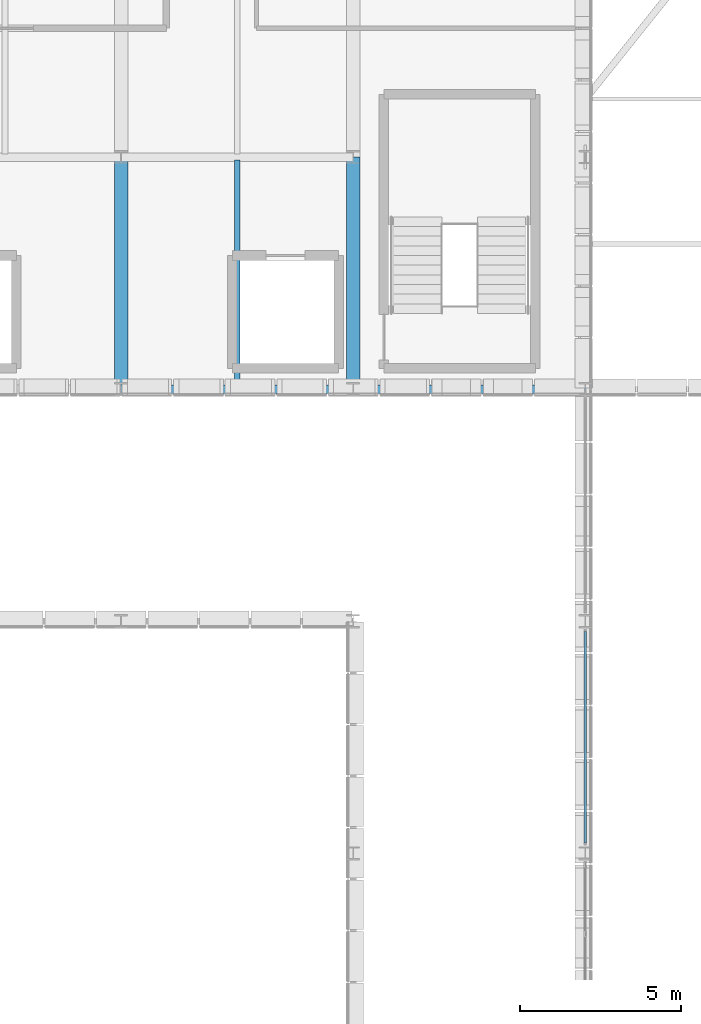
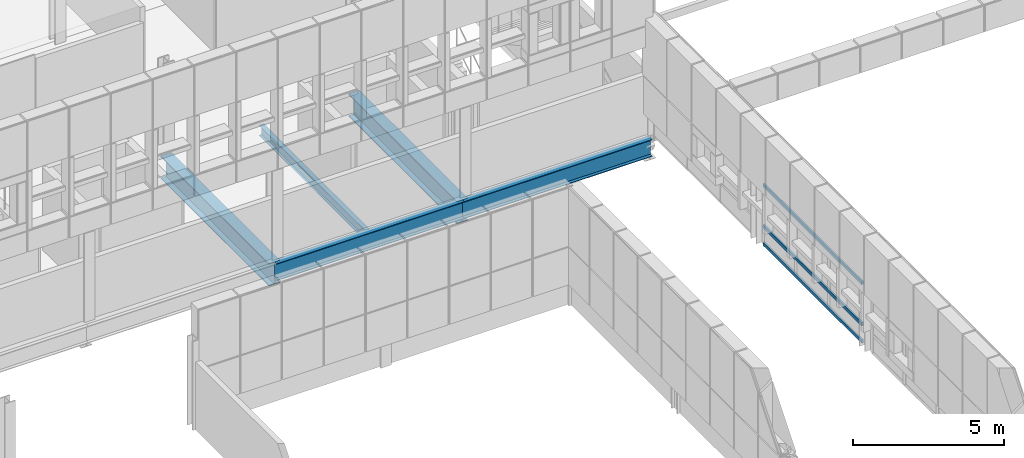
# One storey, part 18 of 96: 5 beams, 3 members, 1 element without a shape of its own.
"""IFC4 building model written with IfcOpenShell, lengths in metres."""

from ifc_helpers import new_model, si_unit, direction, frame, origin, origin_2d, place, context, subcontext, project, spatial, hollow_rectangle, i_section, extrude, material, material_profile, profile_set, type_object, element, aggregate, save


model = new_model("IFC4")

# Units and contexts
model_context = context("Model", 3, precision=1e-05, world=origin(), true_north=direction((0.0, 1.0)))
body_context = subcontext(model_context, "Body", "Model", "MODEL_VIEW")
ifc_project = project(units=[si_unit("LENGTHUNIT", "METRE"), si_unit("AREAUNIT", "SQUARE_METRE"), si_unit("VOLUMEUNIT", "CUBIC_METRE"), si_unit("PLANEANGLEUNIT", "RADIAN"), si_unit("MASSUNIT", "GRAM", prefix="KILO")], contexts=[model_context])

# Site, building, storey
site_placement = place(None, origin())
site = spatial("IfcSite", under=ifc_project, at=site_placement, CompositionType="ELEMENT")
building_placement = place(site_placement, origin())
building = spatial("IfcBuilding", under=site, at=building_placement, Name="Yarey Park Central Fire Station", CompositionType="ELEMENT")
storey_placement = place(building_placement, frame((0.0, 0.0, 14.39990234375)))
storey = spatial("IfcBuildingStorey", under=building, at=storey_placement, Name="L04", CompositionType="ELEMENT", Elevation=14.39990234375)

# Curtain wall, members
ifc_material_1 = material(Name="Anodized Aluminium Frame", Category="aluminium")
curtain_wall_type = type_object("IfcCurtainWallType", Name="ENV_CW_V3_OVR2", PredefinedType="NOTDEFINED", material=ifc_material_1)
curtain_wall_placement = place(storey_placement, origin())
curtain_wall = element("IfcCurtainWall", 1, at=curtain_wall_placement, inside=storey, type_object=curtain_wall_type, Name="CW_L04_V1_E_077", PredefinedType="NOTDEFINED")
ifc_material_profile_1 = material_profile(ifc_material_1, hollow_rectangle(XDim=0.070068359375, YDim=0.139892578125, WallThickness=0.00390625, at=origin_2d()), Name="ALU 140x70x4")
ifc_profile_set_1 = profile_set([ifc_material_profile_1], Name="Anodized Aluminium Frame")
member_type = type_object("IfcMemberType", Name="ENV_CW_TRANSOM", PredefinedType="USERDEFINED", material=ifc_profile_set_1)
member_1_placement = place(storey_placement, frame((57.60009765625, 43.52490234375, 0.025146484375), z_axis=(0.0, 1.0, 0.0), x_axis=(-1.0, 0.0, 0.0)))
member_1 = element("IfcMember", 2, at=member_1_placement, type_object=member_type, Name="CW_L04_V1_E_077_TRN1", ObjectType="TRANSOM", PredefinedType="USERDEFINED", context=body_context, shape_type="SweptSolid", body=[
    extrude(hollow_rectangle(XDim=0.070068359375, YDim=0.139892578125, WallThickness=0.00390625, at=origin_2d()), origin(), (0.0, 0.0, 1.0), 6.550048828125),
])
member_2_placement = place(storey_placement, frame((57.60009765625, 43.52490234375, 0.72607421875), z_axis=(0.0, 1.0, 0.0), x_axis=(-1.0, 0.0, 0.0)))
member_2 = element("IfcMember", 3, at=member_2_placement, type_object=member_type, Name="CW_L04_V1_E_077_TRN2", ObjectType="TRANSOM", PredefinedType="USERDEFINED", context=body_context, shape_type="SweptSolid", body=[
    extrude(hollow_rectangle(XDim=0.070068359375, YDim=0.139892578125, WallThickness=0.00390625, at=origin_2d()), origin(), (0.0, 0.0, 1.0), 6.550048828125),
])
member_3_placement = place(storey_placement, frame((57.60009765625, 43.52490234375, 2.39501953125), z_axis=(0.0, 1.0, 0.0), x_axis=(-1.0, 0.0, 0.0)))
member_3 = element("IfcMember", 4, at=member_3_placement, type_object=member_type, Name="CW_L04_V1_E_077_TRN3", ObjectType="TRANSOM", PredefinedType="USERDEFINED", context=body_context, shape_type="SweptSolid", body=[
    extrude(hollow_rectangle(XDim=0.070068359375, YDim=0.139892578125, WallThickness=0.00390625, at=origin_2d()), origin(), (0.0, 0.0, 1.0), 6.550048828125),
])
aggregate(curtain_wall, [member_1, member_2, member_3])

# Beams
ifc_material_2 = material(Name="Steel ASTM A992 Gr. 50", Category="steel")
ifc_material_profile_2 = material_profile(ifc_material_2, i_section(OverallWidth=0.256103515625, OverallDepth=0.693115234375, WebThickness=0.014404296875, FlangeThickness=0.023681640625, at=origin_2d()), Name="W690x170")
ifc_profile_set_2 = profile_set([ifc_material_profile_2], Name="Steel ASTM A992 Gr. 50")
beam_type_1 = type_object("IfcBeamType", Name="STR_BM_W690", PredefinedType="BEAM", material=ifc_profile_set_2)
beam_1_placement = place(storey_placement, frame((43.199951171875, 57.60009765625, -0.596435546875), z_axis=(1.0, 0.0, 0.0), x_axis=(0.0, 1.0, 0.0)))
element("IfcBeam", 5, at=beam_1_placement, inside=storey, type_object=beam_type_1, Name="BMX L04 Y576 X432", PredefinedType="BEAM", context=body_context, shape_type="SweptSolid", body=[
    extrude(i_section(OverallWidth=0.256103515625, OverallDepth=0.693115234375, WebThickness=0.014404296875, FlangeThickness=0.023681640625, at=origin_2d()), origin(), (0.0, 0.0, 1.0), 7.199951171875),
])
beam_2_placement = place(storey_placement, frame((50.39990234375, 57.60009765625, -0.596435546875), z_axis=(1.0, 0.0, 0.0), x_axis=(0.0, 1.0, 0.0)))
element("IfcBeam", 6, at=beam_2_placement, inside=storey, type_object=beam_type_1, Name="BMX L04 Y576 X504", PredefinedType="BEAM", context=body_context, shape_type="SweptSolid", body=[
    extrude(i_section(OverallWidth=0.256103515625, OverallDepth=0.693115234375, WebThickness=0.014404296875, FlangeThickness=0.023681640625, at=origin_2d()), origin(), (0.0, 0.0, 1.0), 7.2001953125),
])
ifc_material_profile_3 = material_profile(ifc_material_2, i_section(OverallWidth=0.41796875, OverallDepth=0.912109375, WebThickness=0.019287109375, FlangeThickness=0.031982421875, at=origin_2d()), Name="W920x342")
ifc_profile_set_3 = profile_set([ifc_material_profile_3], Name="Steel ASTM A992 Gr. 50")
beam_type_2 = type_object("IfcBeamType", Name="STR_BM_W920", PredefinedType="BEAM", material=ifc_profile_set_3)
for number, where, z_axis, x_axis, name in (
    (7, (43.199951171875, 57.60009765625, -0.705810546875), (0.0, 1.0, 0.0), (-1.0, 0.0, 0.0), "Transfer Truss TT3 L04 CH1"),
    (8, (50.39990234375, 57.60009765625, -0.705810546875), (0.0, 1.0, 0.0), (-1.0, 0.0, 0.0), "Transfer Truss TT4 L04 CH1"),
):
    element("IfcBeam", number, at=place(storey_placement, frame(where, z_axis=z_axis, x_axis=x_axis)), inside=storey, type_object=beam_type_2, Name=name, PredefinedType="BEAM", context=body_context, shape_type="SweptSolid", body=[
        extrude(i_section(OverallWidth=0.41796875, OverallDepth=0.912109375, WebThickness=0.019287109375, FlangeThickness=0.031982421875, at=origin_2d()), origin(), (0.0, 0.0, 1.0), 7.199951171875),
    ])
ifc_material_profile_4 = material_profile(ifc_material_2, i_section(OverallWidth=0.177978515625, OverallDepth=0.406982421875, WebThickness=0.0078125, FlangeThickness=0.0126953125, at=origin_2d()), Name="W410x60")
ifc_profile_set_4 = profile_set([ifc_material_profile_4], Name="Steel ASTM A992 Gr. 50")
beam_type_3 = type_object("IfcBeamType", Name="STR_JST_W410", PredefinedType="JOIST", material=ifc_profile_set_4)
beam_3_placement = place(storey_placement, frame((46.800048828125, 57.695068359375, -0.453369140625), z_axis=(0.0, 1.0, 0.0), x_axis=(-1.0, 0.0, 0.0)))
element("IfcBeam", 9, at=beam_3_placement, inside=storey, type_object=beam_type_3, Name="JST L04 X468 Y576", PredefinedType="JOIST", context=body_context, shape_type="SweptSolid", body=[
    extrude(i_section(OverallWidth=0.177978515625, OverallDepth=0.406982421875, WebThickness=0.0078125, FlangeThickness=0.0126953125, at=origin_2d()), origin(), (0.0, 0.0, 1.0), 7.010009765625),
])

save(model, "model.ifc")
